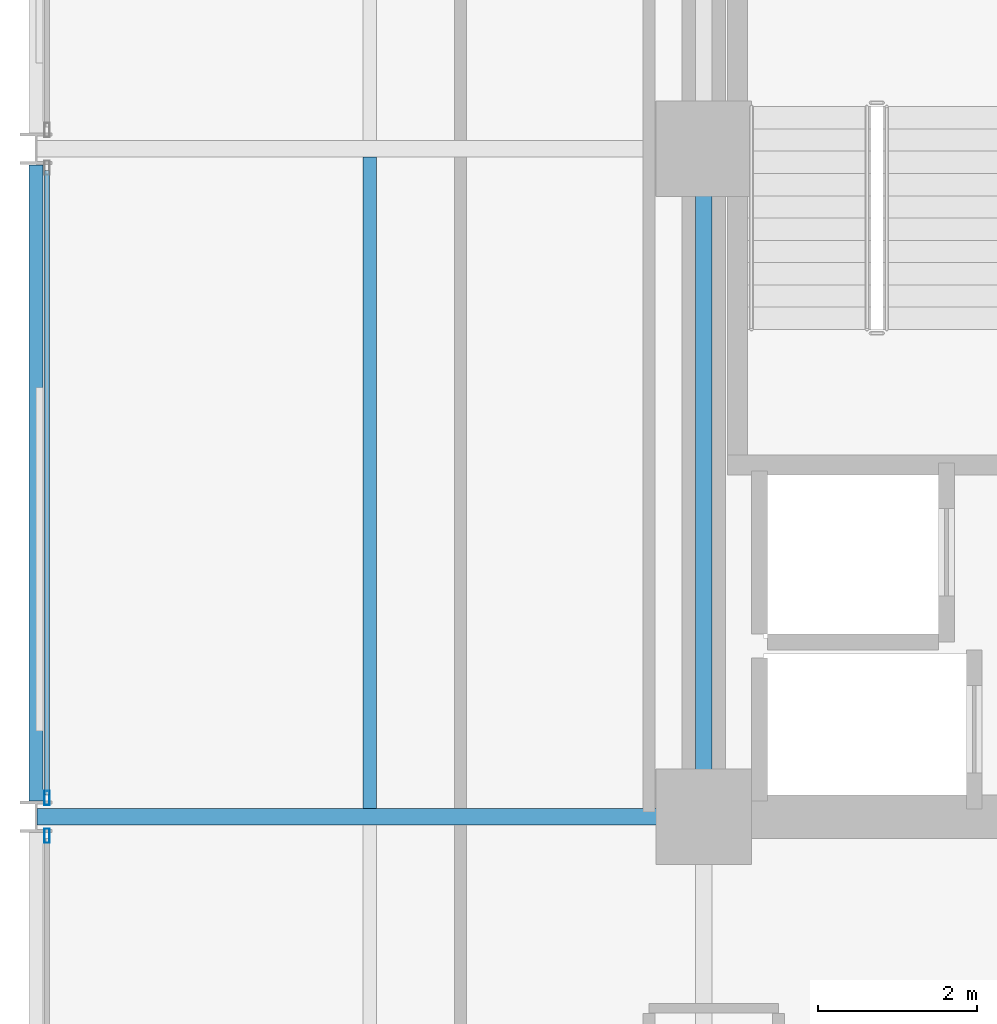
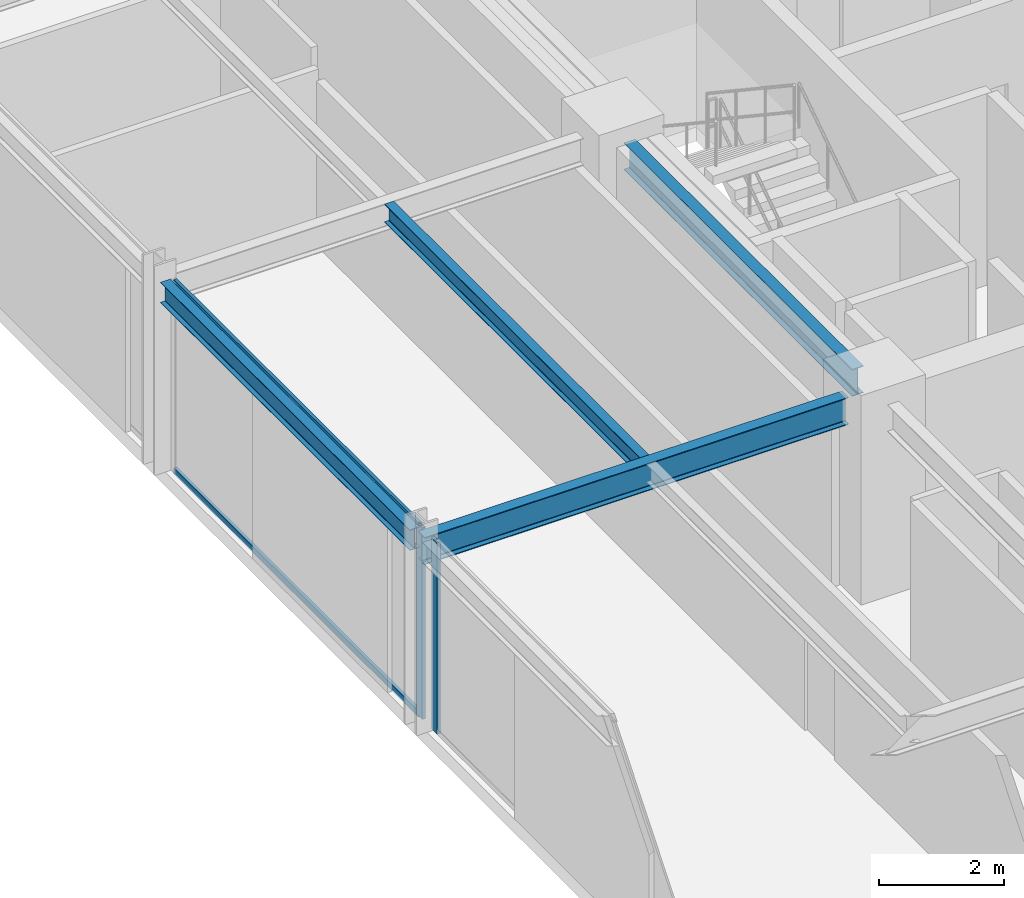
# One storey, part 10 of 29: 4 beams, 4 members, 2 elements without a shape of their own.
"""IFC4 building model written with IfcOpenShell, lengths in metres."""

from ifc_helpers import new_model, si_unit, direction, frame, origin, origin_2d, place, context, subcontext, project, spatial, hollow_rectangle, i_section, extrude, material, layer, layer_set, material_profile, profile_set, type_object, element, aggregate, save


model = new_model("IFC4")

# Units and contexts
model_context = context("Model", 3, precision=1e-05, world=origin(), true_north=direction((0.0, 1.0)))
body_context = subcontext(model_context, "Body", "Model", "MODEL_VIEW")
ifc_project = project(units=[si_unit("LENGTHUNIT", "METRE"), si_unit("AREAUNIT", "SQUARE_METRE"), si_unit("VOLUMEUNIT", "CUBIC_METRE"), si_unit("PLANEANGLEUNIT", "RADIAN"), si_unit("MASSUNIT", "GRAM", prefix="KILO")], contexts=[model_context])

# Site, building, storey
site_placement = place(None, origin())
site = spatial("IfcSite", under=ifc_project, at=site_placement, CompositionType="ELEMENT")
building_placement = place(site_placement, origin())
building = spatial("IfcBuilding", under=site, at=building_placement, Name="Nerrivon Quay Data Exchange", CompositionType="ELEMENT")
storey_placement = place(building_placement, frame((0.0, 0.0, 158.199951171875)))
storey = spatial("IfcBuildingStorey", under=building, at=storey_placement, Name="L37", CompositionType="ELEMENT", Elevation=158.199951171875)

# Beams
ifc_material_1 = material(Name="Steel Grade 350", Category="steel")
ifc_material_profile_1 = material_profile(ifc_material_1, i_section(OverallWidth=0.208984375, OverallDepth=0.532958984375, WebThickness=0.01025390625, FlangeThickness=0.015625, FilletRadius=0.013916015625, at=origin_2d()), Name="530UB92.4")
ifc_profile_set_1 = profile_set([ifc_material_profile_1], Name="Steel Grade 350")
beam_type_1 = type_object("IfcBeamType", Name="BM-G3-530UB92", PredefinedType="BEAM", material=ifc_profile_set_1)
beam_1_placement = place(storey_placement, frame((0.012451171875, 25.199951171875, 3.483642578125), z_axis=(1.0, 0.0, 0.0), x_axis=(0.0, 1.0, 0.0)))
element("IfcBeam", 1, at=beam_1_placement, inside=storey, type_object=beam_type_1, Name="L37 EW Girder Y=25.2 (0.0..8.4)", PredefinedType="BEAM", context=body_context, shape_type="SweptSolid", body=[
    extrude(i_section(OverallWidth=0.208984375, OverallDepth=0.532958984375, WebThickness=0.01025390625, FlangeThickness=0.015625, FilletRadius=0.013916015625, at=origin_2d()), origin(), (0.0, 0.0, 1.0), 7.84765625),
])
ifc_material_profile_2 = material_profile(ifc_material_1, i_section(OverallWidth=0.208984375, OverallDepth=0.528076171875, WebThickness=0.009521484375, FlangeThickness=0.01318359375, FilletRadius=0.013916015625, at=origin_2d()), Name="530UB82.0")
ifc_profile_set_2 = profile_set([ifc_material_profile_2], Name="Steel Grade 350")
beam_type_2 = type_object("IfcBeamType", Name="BM-G4-530UB82", PredefinedType="BEAM", material=ifc_profile_set_2)
beam_2_placement = place(storey_placement, frame((8.39990234375, 25.739990234375, 3.486083984375), z_axis=(0.0, 1.0, 0.0), x_axis=(-1.0, 0.0, 0.0)))
element("IfcBeam", 2, at=beam_2_placement, inside=storey, type_object=beam_type_2, Name="L37 NS Girder X=8.4 (25.2..33.6)", PredefinedType="BEAM", context=body_context, shape_type="SweptSolid", body=[
    extrude(i_section(OverallWidth=0.208984375, OverallDepth=0.528076171875, WebThickness=0.009521484375, FlangeThickness=0.01318359375, FilletRadius=0.013916015625, at=origin_2d()), origin(), (0.0, 0.0, 1.0), 7.320068359375),
])
ifc_material_profile_3 = material_profile(ifc_material_1, i_section(OverallWidth=0.1708984375, OverallDepth=0.35595703125, WebThickness=0.00732421875, FlangeThickness=0.011474609375, FilletRadius=0.011474609375, at=origin_2d()), Name="360UB50.7")
ifc_profile_set_3 = profile_set([ifc_material_profile_3], Name="Steel Grade 350")
beam_type_3 = type_object("IfcBeamType", Name="BM-J4-360UB51", PredefinedType="JOIST", material=ifc_profile_set_3)
beam_3_placement = place(storey_placement, frame((4.199951171875, 25.304443359375, 3.572021484375), z_axis=(0.0, 1.0, 0.0), x_axis=(-1.0, 0.0, 0.0)))
element("IfcBeam", 3, at=beam_3_placement, inside=storey, type_object=beam_type_3, Name="L37 Secondary Joist X=4.2 (25.2..33.6)", PredefinedType="JOIST", context=body_context, shape_type="SweptSolid", body=[
    extrude(i_section(OverallWidth=0.1708984375, OverallDepth=0.35595703125, WebThickness=0.00732421875, FlangeThickness=0.011474609375, FilletRadius=0.011474609375, at=origin_2d()), origin(), (0.0, 0.0, 1.0), 8.191162109375),
])
ifc_material_profile_4 = material_profile(ifc_material_1, i_section(OverallWidth=0.177978515625, OverallDepth=0.403076171875, WebThickness=0.007568359375, FlangeThickness=0.010986328125, FilletRadius=0.011474609375, at=origin_2d()), Name="410UB53.7")
ifc_profile_set_4 = profile_set([ifc_material_profile_4], Name="Steel Grade 350")
beam_type_4 = type_object("IfcBeamType", Name="BM-SP2-410UB54", PredefinedType="SPANDREL", material=ifc_profile_set_4)
beam_4_placement = place(storey_placement, frame((0.0, 25.39990234375, 3.548583984375), z_axis=(0.0, 1.0, 0.0), x_axis=(-1.0, 0.0, 0.0)))
element("IfcBeam", 4, at=beam_4_placement, inside=storey, type_object=beam_type_4, Name="L37 NS Girder X=0.0 (25.2..33.6)", PredefinedType="SPANDREL", context=body_context, shape_type="SweptSolid", body=[
    extrude(i_section(OverallWidth=0.177978515625, OverallDepth=0.403076171875, WebThickness=0.007568359375, FlangeThickness=0.010986328125, FilletRadius=0.011474609375, at=origin_2d()), origin(), (0.0, 0.0, 1.0), 8.0),
])

# Curtain wall, member
ifc_material_2 = material(Name="Anodised aluminium 6063-T6", Category="aluminium")
ifc_layer = layer(ifc_material_2, 0.2099609375)
ifc_layer_set = layer_set([ifc_layer], Name="Anodised aluminium 6063-T6")
curtain_wall_type = type_object("IfcCurtainWallType", Name="CW-SYS-02", PredefinedType="NOTDEFINED", material=ifc_layer_set)
curtain_wall_1_placement = place(storey_placement, origin())
curtain_wall_1 = element("IfcCurtainWall", 5, at=curtain_wall_1_placement, inside=storey, type_object=curtain_wall_type, Name="L37 Unitised Curtain Wall 13", PredefinedType="NOTDEFINED")
ifc_material_profile_5 = material_profile(ifc_material_2, hollow_rectangle(XDim=0.06494140625, YDim=0.179931640625, WallThickness=0.00341796875, at=origin_2d()), Name="ALU-MULL-180x65")
ifc_profile_set_5 = profile_set([ifc_material_profile_5], Name="Anodised aluminium 6063-T6")
member_type_1 = type_object("IfcMemberType", Name="CWM-180x65", PredefinedType="MULLION", material=ifc_profile_set_5)
member_1_placement = place(storey_placement, frame((0.139892578125, 24.96240234375, 0.0), z_axis=(0.0, 0.0, 1.0), x_axis=(-1.0, 0.0, 0.0)))
member_1 = element("IfcMember", 6, at=member_1_placement, type_object=member_type_1, Name="CW02 mullion 2", PredefinedType="MULLION", context=body_context, shape_type="SweptSolid", body=[
    extrude(hollow_rectangle(XDim=0.06494140625, YDim=0.179931640625, WallThickness=0.00341796875, at=origin_2d()), origin(), (0.0, 0.0, 1.0), 3.75),
])
aggregate(curtain_wall_1, [member_1])

# Curtain wall, members
curtain_wall_2_placement = place(storey_placement, origin())
curtain_wall_2 = element("IfcCurtainWall", 7, at=curtain_wall_2_placement, inside=storey, type_object=curtain_wall_type, Name="L37 Unitised Curtain Wall 14", PredefinedType="NOTDEFINED")
member_2_placement = place(storey_placement, frame((0.139892578125, 25.4375, 0.0), z_axis=(0.0, 0.0, 1.0), x_axis=(-1.0, 0.0, 0.0)))
member_2 = element("IfcMember", 8, at=member_2_placement, type_object=member_type_1, Name="CW02 mullion 1", PredefinedType="MULLION", context=body_context, shape_type="SweptSolid", body=[
    extrude(hollow_rectangle(XDim=0.06494140625, YDim=0.179931640625, WallThickness=0.00341796875, at=origin_2d()), origin(), (0.0, 0.0, 1.0), 3.75),
])
ifc_material_profile_6 = material_profile(ifc_material_2, hollow_rectangle(XDim=0.06005859375, YDim=0.1201171875, WallThickness=0.003173828125, at=origin_2d()), Name="ALU-TRAN-120x60")
ifc_profile_set_6 = profile_set([ifc_material_profile_6], Name="Anodised aluminium 6063-T6")
member_type_2 = type_object("IfcMemberType", Name="CWT-120x60", PredefinedType="USERDEFINED", material=ifc_profile_set_6)
member_3_placement = place(storey_placement, frame((0.139892578125, 25.47509765625, 0.032470703125), z_axis=(0.0, 1.0, 0.0), x_axis=(-1.0, 0.0, 0.0)))
member_3 = element("IfcMember", 9, at=member_3_placement, type_object=member_type_2, Name="CW02 transom 1.1", ObjectType="TRANSOM", PredefinedType="USERDEFINED", context=body_context, shape_type="SweptSolid", body=[
    extrude(hollow_rectangle(XDim=0.06005859375, YDim=0.1201171875, WallThickness=0.003173828125, at=origin_2d()), origin(), (0.0, 0.0, 1.0), 7.849853515625),
])
member_4_placement = place(storey_placement, frame((0.139892578125, 25.47509765625, 3.717529296875), z_axis=(0.0, 1.0, 0.0), x_axis=(-1.0, 0.0, 0.0)))
member_4 = element("IfcMember", 10, at=member_4_placement, type_object=member_type_2, Name="CW02 transom 1.2", ObjectType="TRANSOM", PredefinedType="USERDEFINED", context=body_context, shape_type="SweptSolid", body=[
    extrude(hollow_rectangle(XDim=0.06005859375, YDim=0.1201171875, WallThickness=0.003173828125, at=origin_2d()), origin(), (0.0, 0.0, 1.0), 7.849853515625),
])
aggregate(curtain_wall_2, [member_2, member_3, member_4])

save(model, "model.ifc")
